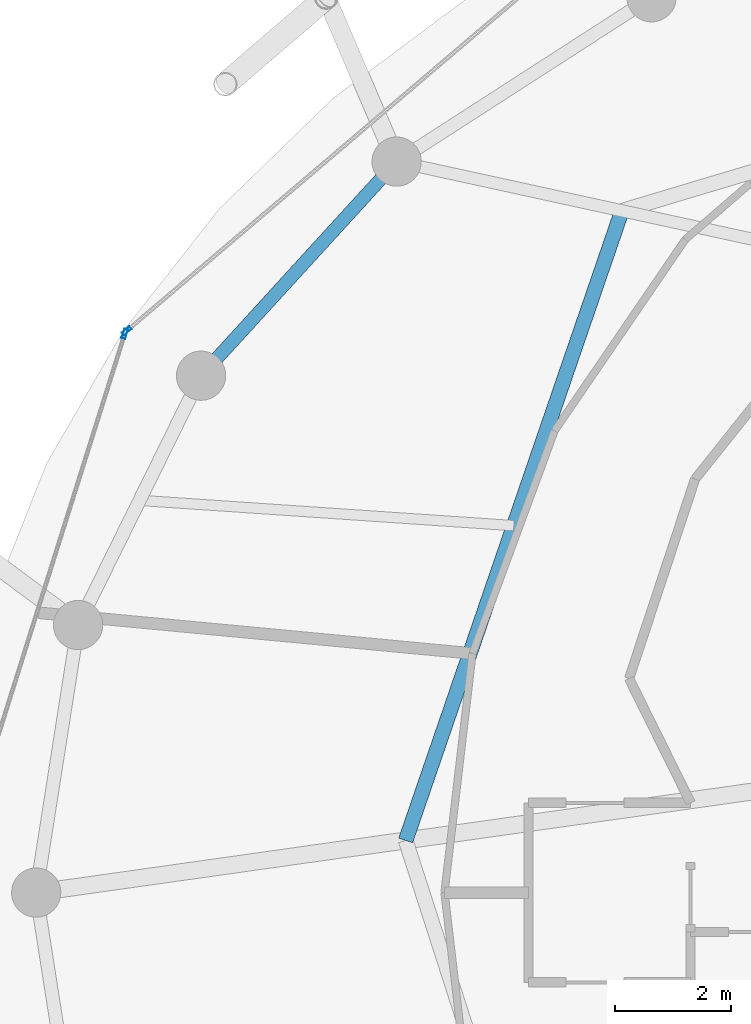
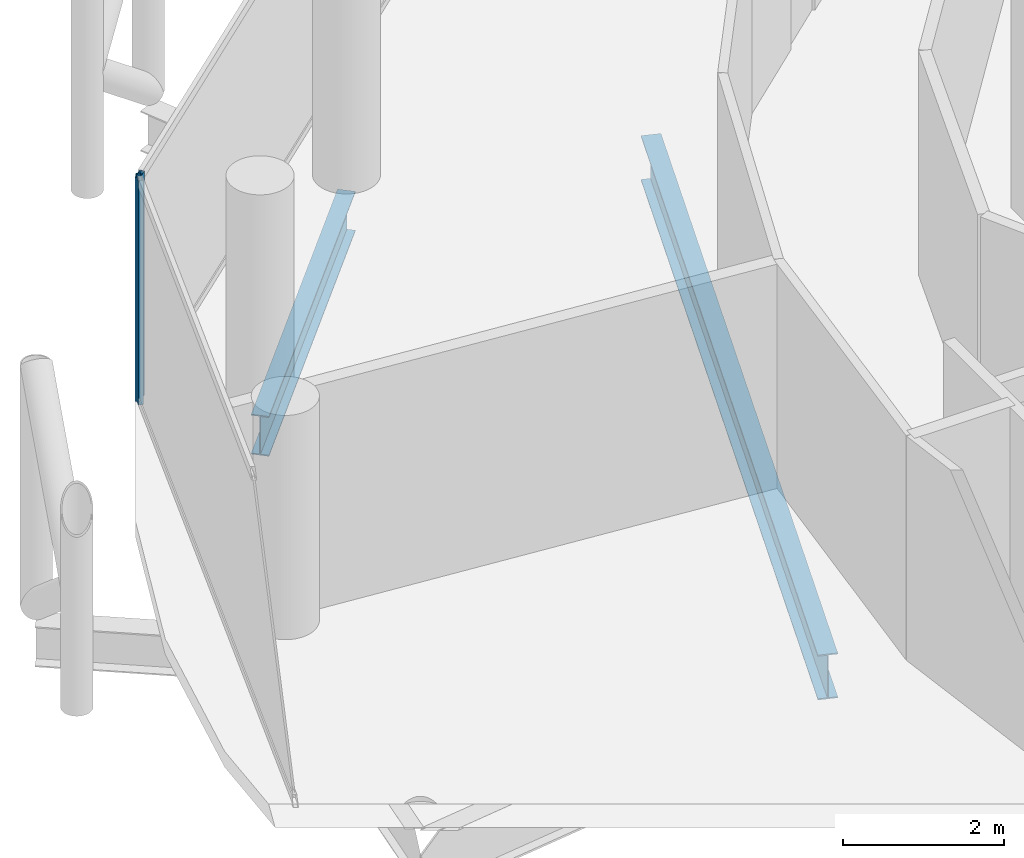
# One storey, part 9 of 27: 2 beams, 2 members, 2 elements without a shape of their own.
"""IFC4 building model written with IfcOpenShell, lengths in metres."""

from ifc_helpers import new_model, si_unit, direction, frame, origin, origin_2d, place, context, subcontext, project, spatial, hollow_rectangle, i_section, extrude, material, layer, layer_set, material_profile, profile_set, type_object, element, aggregate, save


model = new_model("IFC4")

# Units and contexts
model_context = context("Model", 3, precision=1e-05, world=origin(), true_north=direction((0.0, 1.0)))
body_context = subcontext(model_context, "Body", "Model", "MODEL_VIEW")
ifc_project = project(units=[si_unit("LENGTHUNIT", "METRE"), si_unit("AREAUNIT", "SQUARE_METRE"), si_unit("VOLUMEUNIT", "CUBIC_METRE"), si_unit("PLANEANGLEUNIT", "RADIAN"), si_unit("MASSUNIT", "GRAM", prefix="KILO")], contexts=[model_context])

# Site, building, storey
site_placement = place(None, origin())
site = spatial("IfcSite", under=ifc_project, at=site_placement, CompositionType="ELEMENT")
building_placement = place(site_placement, origin())
building = spatial("IfcBuilding", under=site, at=building_placement, Name="Nuhasar Tower", CompositionType="ELEMENT")
storey_placement = place(building_placement, frame((0.0, 0.0, 244.64990234375)))
storey = spatial("IfcBuildingStorey", under=building, at=storey_placement, Name="L60", CompositionType="ELEMENT", Elevation=244.64990234375)

# Beams
ifc_material_1 = material(Name="Steel S355", Category="steel")
ifc_material_profile_1 = material_profile(ifc_material_1, i_section(OverallWidth=0.25390625, OverallDepth=0.68408203125, WebThickness=0.012451171875, FlangeThickness=0.018798828125, at=origin_2d()), Name="W27X94")
ifc_profile_set_1 = profile_set([ifc_material_profile_1], Name="Steel S355")
beam_type_1 = type_object("IfcBeamType", Name="BM-INRING-W27X94", PredefinedType="BEAM", material=ifc_profile_set_1)
beam_1_placement = place(storey_placement, frame((27.864013671875, 38.572998046875, -0.581787109375), z_axis=(-0.324809117642, -0.945779592239, 0.0), x_axis=(0.945779592239, -0.324809117642, 0.0)))
element("IfcBeam", 1, at=beam_1_placement, inside=storey, type_object=beam_type_1, Name="L60 Inner Header Beam 07", PredefinedType="BEAM", context=body_context, shape_type="SweptSolid", body=[
    extrude(i_section(OverallWidth=0.25390625, OverallDepth=0.68408203125, WebThickness=0.012451171875, FlangeThickness=0.018798828125, at=origin_2d()), origin(), (0.0, 0.0, 1.0), 11.496337890625),
])
ifc_material_profile_2 = material_profile(ifc_material_1, i_section(OverallWidth=0.22802734375, OverallDepth=0.60791015625, WebThickness=0.01123046875, FlangeThickness=0.017333984375, at=origin_2d()), Name="W24X76")
ifc_profile_set_2 = profile_set([ifc_material_profile_2], Name="Steel S355")
beam_type_2 = type_object("IfcBeamType", Name="BM-RING-W24X76", PredefinedType="SPANDREL", material=ifc_profile_set_2)
beam_2_placement = place(storey_placement, frame((23.97412109375, 39.422119140625, -0.5439453125), z_axis=(-0.674449692975, -0.738320805373, 0.0), x_axis=(0.738320805373, -0.674449692975, 0.0)))
element("IfcBeam", 2, at=beam_2_placement, inside=storey, type_object=beam_type_2, Name="L60 Perimeter Ring Spandrel 10", PredefinedType="SPANDREL", context=body_context, shape_type="SweptSolid", body=[
    extrude(i_section(OverallWidth=0.22802734375, OverallDepth=0.60791015625, WebThickness=0.01123046875, FlangeThickness=0.017333984375, at=origin_2d()), origin(), (0.0, 0.0, 1.0), 5.00732421875),
])

# Curtain wall, member
ifc_material_2 = material(Name="Aluminium 6063-T6", Category="aluminium")
ifc_layer = layer(ifc_material_2, 0.18994140625)
ifc_layer_set = layer_set([ifc_layer], Name="Aluminium 6063-T6")
curtain_wall_type = type_object("IfcCurtainWallType", Name="CW-Z3-RES", PredefinedType="NOTDEFINED", material=ifc_layer_set)
curtain_wall_1_placement = place(storey_placement, origin())
curtain_wall_1 = element("IfcCurtainWall", 3, at=curtain_wall_1_placement, inside=storey, type_object=curtain_wall_type, Name="L60 Unitised Curtain Wall 05", PredefinedType="NOTDEFINED")
ifc_material_profile_3 = material_profile(ifc_material_2, hollow_rectangle(XDim=0.06494140625, YDim=0.169921875, WallThickness=0.0048828125, at=origin_2d()), Name="CWM-4")
ifc_profile_set_3 = profile_set([ifc_material_profile_3], Name="Aluminium 6063-T6")
member_type = type_object("IfcMemberType", Name="CW-MUL-S4", PredefinedType="MULLION", material=ifc_profile_set_3)
member_1_placement = place(storey_placement, frame((19.313720703125, 36.5009765625, 0.0), z_axis=(0.0, 0.0, 1.0), x_axis=(0.64789521578, -0.761729472562, 0.0)))
member_1 = element("IfcMember", 4, at=member_1_placement, type_object=member_type, Name="CW-Z3 mullion 2", PredefinedType="MULLION", context=body_context, shape_type="SweptSolid", body=[
    extrude(hollow_rectangle(XDim=0.06494140625, YDim=0.169921875, WallThickness=0.0048828125, at=origin_2d()), origin(), (0.0, 0.0, 1.0), 3.41015625),
])
aggregate(curtain_wall_1, [member_1])

curtain_wall_2_placement = place(storey_placement, origin())
curtain_wall_2 = element("IfcCurtainWall", 5, at=curtain_wall_2_placement, inside=storey, type_object=curtain_wall_type, Name="L60 Unitised Curtain Wall 06", PredefinedType="NOTDEFINED")
member_2_placement = place(storey_placement, frame((19.279296875, 36.448974609375, 0.0), z_axis=(0.0, 0.0, 1.0), x_axis=(0.95380429279, -0.30042864553, 0.0)))
member_2 = element("IfcMember", 6, at=member_2_placement, type_object=member_type, Name="CW-Z3 mullion 1", PredefinedType="MULLION", context=body_context, shape_type="SweptSolid", body=[
    extrude(hollow_rectangle(XDim=0.06494140625, YDim=0.169921875, WallThickness=0.0048828125, at=origin_2d()), origin(), (0.0, 0.0, 1.0), 3.41015625),
])
aggregate(curtain_wall_2, [member_2])

save(model, "model.ifc")
